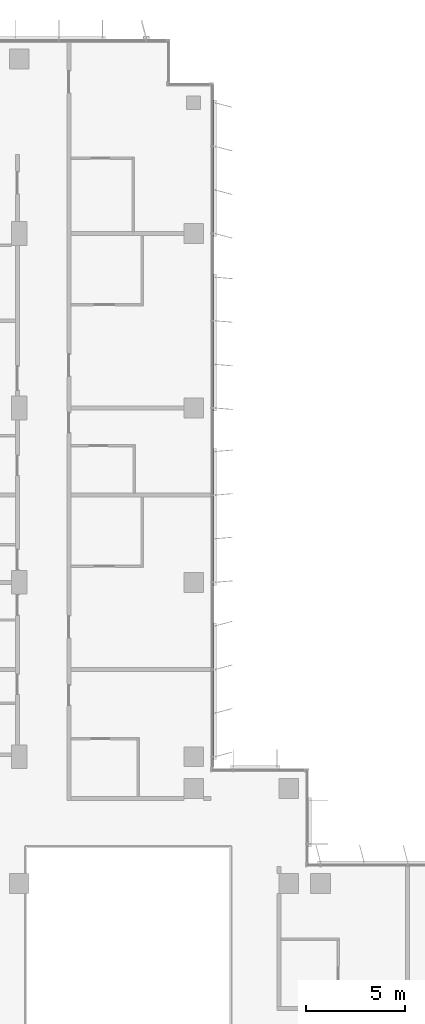
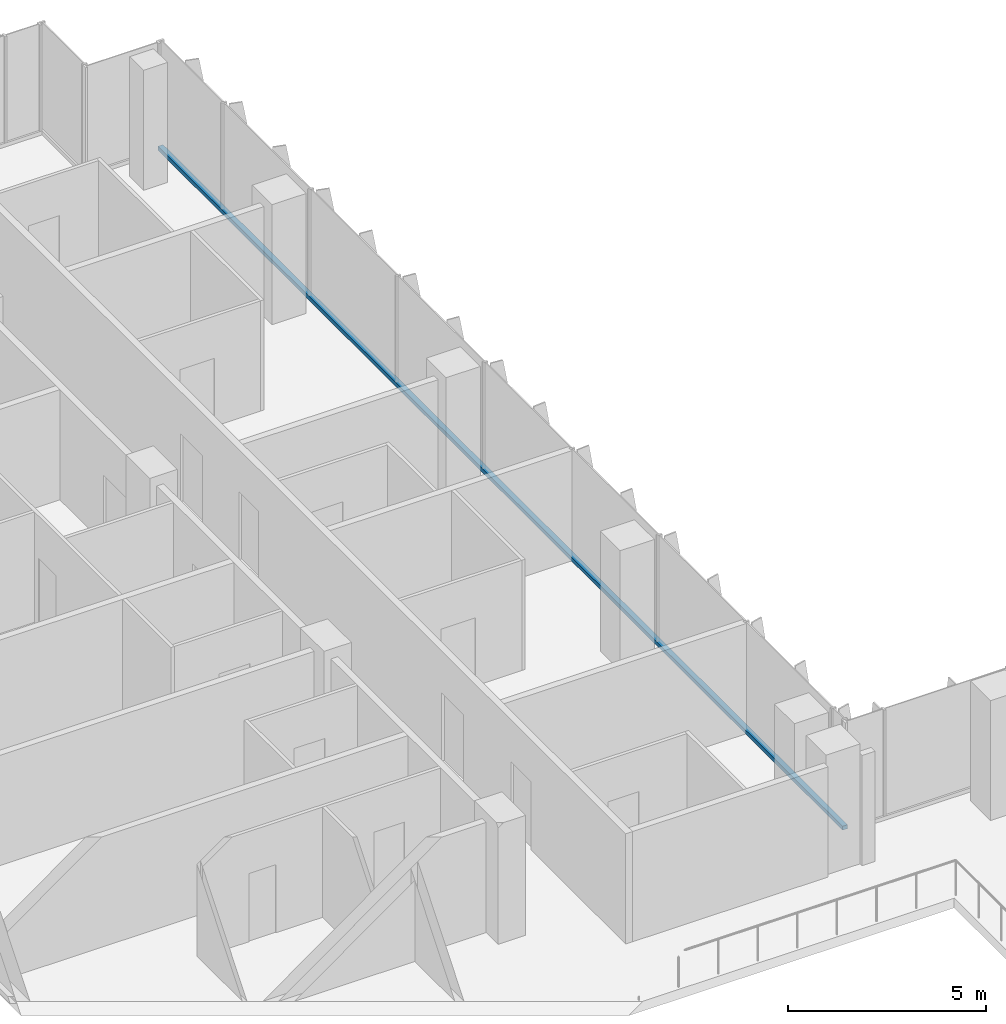
# One storey, part 6 of 21: 1 member, 1 element without a shape of its own.
"""IFC4 building model written with IfcOpenShell, lengths in metres."""

from ifc_helpers import new_model, si_unit, direction, frame, origin, origin_2d, place, context, subcontext, project, spatial, rectangle, extrude, material, material_profile, profile_set, type_object, element, aggregate, save


model = new_model("IFC4")

# Units and contexts
model_context = context("Model", 3, precision=1e-05, world=origin(), true_north=direction((0.0, 1.0)))
body_context = subcontext(model_context, "Body", "Model", "MODEL_VIEW")
ifc_project = project(units=[si_unit("LENGTHUNIT", "METRE"), si_unit("AREAUNIT", "SQUARE_METRE"), si_unit("VOLUMEUNIT", "CUBIC_METRE"), si_unit("PLANEANGLEUNIT", "RADIAN"), si_unit("MASSUNIT", "GRAM", prefix="KILO")], contexts=[model_context])

# Site, building, storey
site_placement = place(None, origin())
site = spatial("IfcSite", under=ifc_project, at=site_placement, CompositionType="ELEMENT")
building_placement = place(site_placement, origin())
building = spatial("IfcBuilding", under=site, at=building_placement, Name="Kemantara Hotel Tower", CompositionType="ELEMENT")
storey_placement = place(building_placement, frame((0.0, 0.0, 175.300048828125)))
storey = spatial("IfcBuildingStorey", under=building, at=storey_placement, Name="L43", CompositionType="ELEMENT", Elevation=175.300048828125)

# Curtain wall, member
ifc_material_1 = material(Name="Low-E tinted double insulated glass 36 mm", Category="glass")
curtain_wall_type = type_object("IfcCurtainWallType", Name="TOWER CURTAIN WALL, FRONT FACES", PredefinedType="USERDEFINED", material=ifc_material_1)
curtain_wall_placement = place(storey_placement, origin())
curtain_wall = element("IfcCurtainWall", 1, at=curtain_wall_placement, inside=storey, type_object=curtain_wall_type, Name="CW4 L43 T3-R17-1", ObjectType="TOWER CURTAIN WALL, FRONT FACES", PredefinedType="USERDEFINED")
ifc_material_2 = material(Name="Aluminium 6063-T6 bronze anodised", Category="aluminium")
ifc_material_profile = material_profile(ifc_material_2, rectangle(XDim=0.14990234375, YDim=0.1201171875, at=origin_2d()), Name="TOWER CURTAIN WALL, FRONT FACES TRANSOM")
ifc_profile_set = profile_set([ifc_material_profile], Name="Aluminium 6063-T6 bronze anodised")
member_type = type_object("IfcMemberType", Name="TOWER CURTAIN WALL, FRONT FACES TRANSOM", PredefinedType="USERDEFINED", material=ifc_profile_set)
member_placement = place(storey_placement, frame((21.925048828125, 26.800048828125, 0.06005859375), z_axis=(0.0, 1.0, 0.0), x_axis=(-1.0, 0.0, 0.0)))
member = element("IfcMember", 2, at=member_placement, type_object=member_type, Name="CW4 sill transom T3-R17-1", ObjectType="TRANSOM", PredefinedType="USERDEFINED", context=body_context, shape_type="SweptSolid", body=[
    extrude(rectangle(XDim=0.14990234375, YDim=0.1201171875, at=origin_2d()), origin(), (0.0, 0.0, 1.0), 34.599853515625),
])
aggregate(curtain_wall, [member])

save(model, "model.ifc")
